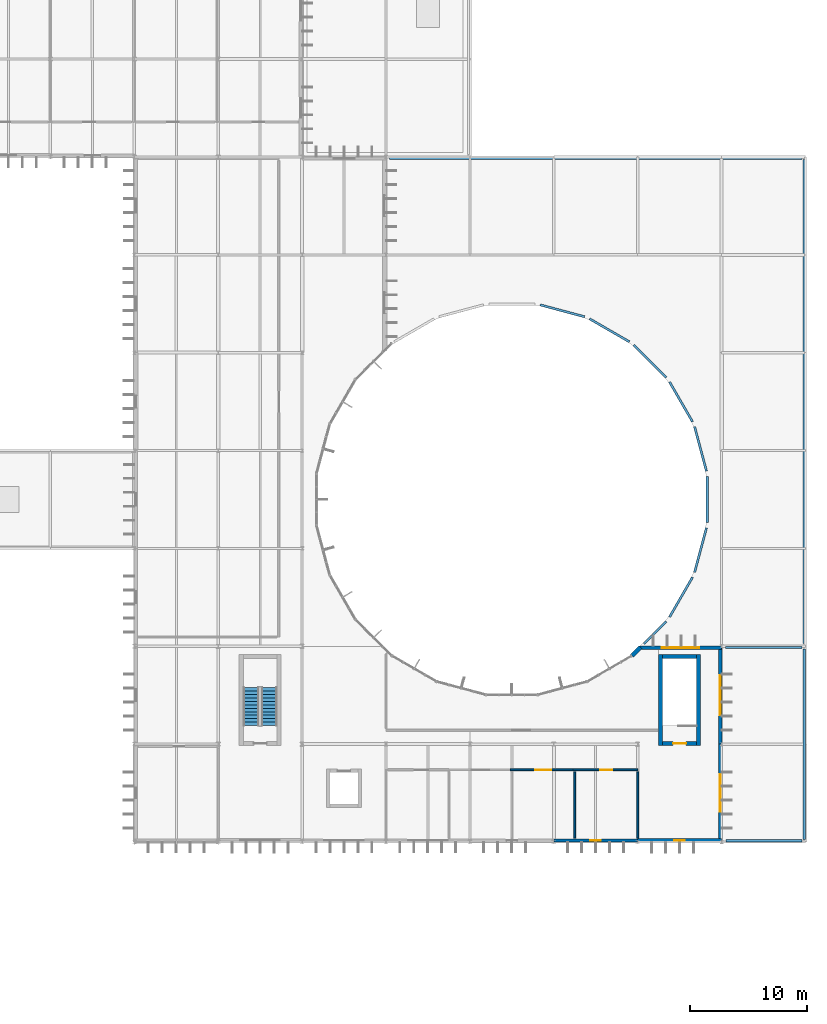
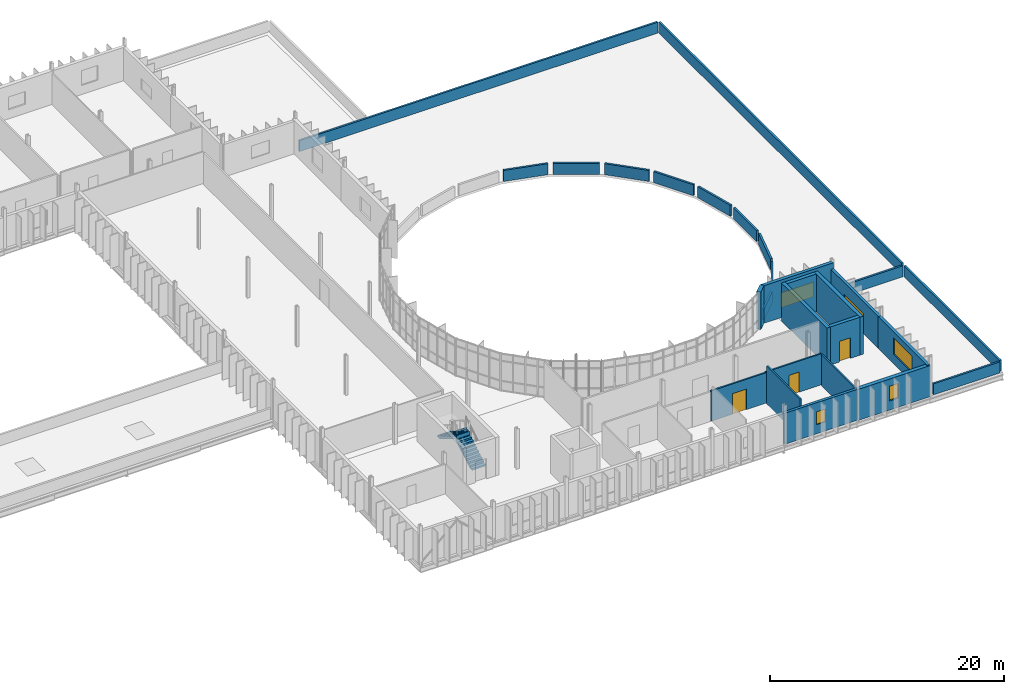
# One storey, part 49 of 61: 28 walls, 5 windows, 3 doors, 2 stair flights, 8 openings, 1 element without a shape of its own.
"""IFC4 building model written with IfcOpenShell, lengths in metres."""

from ifc_helpers import new_model, si_unit, direction, frame, frame_2d, origin, place, context, subcontext, project, spatial, polyline, rectangle, outline, extrude, material, layer, layer_set, type_object, element, fill, aggregate, save


model = new_model("IFC4")

# Units and contexts
model_context = context("Model", 3, precision=1e-05, world=origin(), true_north=direction((0.0, 1.0)))
body_context = subcontext(model_context, "Body", "Model", "MODEL_VIEW")
ifc_project = project(units=[si_unit("LENGTHUNIT", "METRE"), si_unit("AREAUNIT", "SQUARE_METRE"), si_unit("VOLUMEUNIT", "CUBIC_METRE"), si_unit("PLANEANGLEUNIT", "RADIAN"), si_unit("MASSUNIT", "GRAM", prefix="KILO")], contexts=[model_context])

# Site, building, storey
site_placement = place(None, origin())
site = spatial("IfcSite", under=ifc_project, at=site_placement, CompositionType="ELEMENT")
building_placement = place(site_placement, origin())
building = spatial("IfcBuilding", under=site, at=building_placement, Name="Qelthora Terrace Specialist Clinic", CompositionType="ELEMENT")
storey_placement = place(building_placement, frame((0.0, 0.0, 13.199951171875)))
storey = spatial("IfcBuildingStorey", under=building, at=storey_placement, Name="L03", CompositionType="ELEMENT", Elevation=13.199951171875)

# Walls
ifc_material_1 = material(Name="Concrete C40/50", Category="concrete")
ifc_layer_1 = layer(ifc_material_1, 0.35009765625)
ifc_layer_set_1 = layer_set([ifc_layer_1], Name="Concrete C40/50")
wall_type_1 = type_object("IfcWallType", Name="WAL-CORE-350-C40", PredefinedType="SHEAR", material=ifc_layer_set_1)
for number, where, z_axis, x_axis, name in (
    (1, (138.77490234375, 41.89990234375, 0.0), (0.0, 0.0, 1.0), (0.0, 1.0, 0.0), "ST-06 L03 west shear core wall"),
    (2, (142.02490234375, 41.89990234375, 0.0), (0.0, 0.0, 1.0), (0.0, 1.0, 0.0), "ST-06 L03 east shear core wall"),
):
    element("IfcWall", number, at=place(storey_placement, frame(where, z_axis=z_axis, x_axis=x_axis)), inside=storey, type_object=wall_type_1, Name=name, PredefinedType="SHEAR", context=body_context, shape_type="SweptSolid", body=[
        extrude(rectangle(XDim=7.800048828125, YDim=0.35009765625, at=frame_2d((3.89990234375, 0.0))), origin(), (0.0, 0.0, 1.0), 3.97509765625),
    ])
wall_1_placement = place(storey_placement, frame((138.949951171875, 49.52490234375, 0.0), z_axis=(0.0, 0.0, 1.0), x_axis=(1.0, 0.0, 0.0)))
element("IfcWall", 3, at=wall_1_placement, inside=storey, type_object=wall_type_1, Name="ST-06 L03 north shear core wall", PredefinedType="SHEAR", context=body_context, shape_type="SweptSolid", body=[
    extrude(rectangle(XDim=2.900146484375, YDim=0.35009765625, at=frame_2d((1.4501953125, 0.0))), origin(), (0.0, 0.0, 1.0), 3.97509765625),
])

# Wall, opening, door
wall_2_placement = place(storey_placement, frame((138.949951171875, 42.074951171875, 0.0), z_axis=(0.0, 0.0, 1.0), x_axis=(1.0, 0.0, 0.0)))
wall_2 = element("IfcWall", 4, at=wall_2_placement, inside=storey, type_object=wall_type_1, Name="ST-06 L03 south shear core wall", PredefinedType="SHEAR", context=body_context, shape_type="SweptSolid", body=[
    extrude(rectangle(XDim=2.900146484375, YDim=0.35009765625, at=frame_2d((1.4501953125, 0.0))), origin(), (0.0, 0.0, 1.0), 3.97509765625),
])
opening_1_placement = place(wall_2_placement, frame((0.89990234375, 0.0, 0.0)))
opening_1 = element("IfcOpeningElement", 5, at=opening_1_placement, cuts=wall_2, Name="Opening D-ST-06-L03", PredefinedType="OPENING", context=body_context, shape_type="SweptSolid", body=[
    extrude(rectangle(XDim=1.10009765625, YDim=2.14990234375, at=frame_2d((0.550048828125, 1.074951171875))), frame((0.0, 0.18505859375, 0.0), z_axis=(0.0, -1.0, 0.0), x_axis=(1.0, 0.0, 0.0)), (0.0, 0.0, 1.0), 0.3701171875),
])
ifc_material_2 = material(Name="Steel S355", Category="steel")
door_type_1 = type_object("IfcDoorType", Name="DOR-STAIR-1100X2150", OperationType="NOTDEFINED", PredefinedType="DOOR", material=ifc_material_2)
door_1_placement = place(opening_1_placement, origin())
door_1 = element("IfcDoor", 6, at=door_1_placement, inside=storey, type_object=door_type_1, Name="Stair fire door D-ST-06-L03", OperationType="SINGLE_SWING_RIGHT", OverallHeight=2.14990234375, OverallWidth=1.10009765625, PredefinedType="DOOR", context=body_context, shape_type="SweptSolid", body=[
    extrude(rectangle(XDim=1.10009765625, YDim=2.14990234375, at=frame_2d((0.550048828125, 1.074951171875))), frame((0.0, 0.02490234375, 0.0), z_axis=(0.0, -1.0, 0.0), x_axis=(1.0, 0.0, 0.0)), (0.0, 0.0, 1.0), 0.050048828125),
])
fill(opening_1, door_1)

# Wall, opening, window
ifc_material_3 = material(Name="Precast concrete C40/50", Category="concrete")
ifc_layer_2 = layer(ifc_material_3, 0.260009765625)
ifc_layer_set_2 = layer_set([ifc_layer_2], Name="Precast concrete C40/50")
wall_type_2 = type_object("IfcWallType", Name="WAL-EXT-260-PC40", PredefinedType="SOLIDWALL", material=ifc_layer_set_2)
wall_3_placement = place(storey_placement, frame((129.60009765625, 33.719970703125, 0.0), z_axis=(0.0, 0.0, 1.0), x_axis=(1.0, 0.0, 0.0)))
wall_3 = element("IfcWall", 7, at=wall_3_placement, inside=storey, type_object=wall_type_2, Name="L03 external precast wall 294", PredefinedType="SOLIDWALL", context=body_context, shape_type="SweptSolid", body=[
    extrude(rectangle(XDim=7.199951171875, YDim=0.260009765625, at=frame_2d((3.60009765625, 0.0))), origin(), (0.0, 0.0, 1.0), 3.2490234375),
])
opening_2_placement = place(wall_3_placement, frame((3.14990234375, 0.0, 0.949951171875)))
opening_2 = element("IfcOpeningElement", 8, at=opening_2_placement, cuts=wall_3, Name="Opening WN-L03-254", PredefinedType="OPENING", context=body_context, shape_type="SweptSolid", body=[
    extrude(rectangle(XDim=0.89990234375, YDim=1.35009765625, at=frame_2d((0.449951171875, 0.675048828125))), frame((0.0, 0.139892578125, 0.0), z_axis=(0.0, -1.0, 0.0), x_axis=(1.0, 0.0, 0.0)), (0.0, 0.0, 1.0), 0.280029296875),
])
ifc_material_4 = material(Name="Low-E triple-silver insulating glass", Category="glass")
window_type_1 = type_object("IfcWindowType", Name="WIN-900X1350", PartitioningType="SINGLE_PANEL", PredefinedType="WINDOW", material=ifc_material_4)
window_1_placement = place(opening_2_placement, origin())
window_1 = element("IfcWindow", 9, at=window_1_placement, inside=storey, type_object=window_type_1, Name="Clinical window WN-L03-254", OverallHeight=1.35009765625, OverallWidth=0.89990234375, PartitioningType="SINGLE_PANEL", PredefinedType="WINDOW", context=body_context, shape_type="SweptSolid", body=[
    extrude(rectangle(XDim=0.89990234375, YDim=1.35009765625, at=frame_2d((0.449951171875, 0.675048828125))), frame((0.0, 0.030029296875, 0.0), z_axis=(0.0, -1.0, 0.0), x_axis=(1.0, 0.0, 0.0)), (0.0, 0.0, 1.0), 0.06005859375),
])
fill(opening_2, window_1)

ifc_layer_3 = layer(ifc_material_3, 0.280029296875)
ifc_layer_set_3 = layer_set([ifc_layer_3], Name="Precast concrete C40/50")
wall_type_3 = type_object("IfcWallType", Name="WAL-EXT-280-PC40", PredefinedType="SOLIDWALL", material=ifc_layer_set_3)
wall_4_placement = place(storey_placement, frame((143.8798828125, 42.0, 0.0), z_axis=(0.0, 0.0, 1.0), x_axis=(0.0, 1.0, 0.0)))
wall_4 = element("IfcWall", 10, at=wall_4_placement, inside=storey, type_object=wall_type_3, Name="L03 external precast wall 288", PredefinedType="SOLIDWALL", context=body_context, shape_type="SweptSolid", body=[
    extrude(rectangle(XDim=8.39990234375, YDim=0.280029296875, at=frame_2d((4.199951171875, 0.0))), origin(), (0.0, 0.0, 1.0), 3.324951171875),
])
opening_3_placement = place(wall_4_placement, frame((2.5, 0.0, 0.949951171875)))
opening_3 = element("IfcOpeningElement", 11, at=opening_3_placement, cuts=wall_4, Name="Opening WN-L03-249", PredefinedType="OPENING", context=body_context, shape_type="SweptSolid", body=[
    extrude(rectangle(XDim=3.39990234375, YDim=1.14990234375, at=frame_2d((1.699951171875, 0.574951171875))), frame((0.0, 0.14990234375, 0.0), z_axis=(0.0, -1.0, 0.0), x_axis=(1.0, 0.0, 0.0)), (0.0, 0.0, 1.0), 0.300048828125),
])
window_type_2 = type_object("IfcWindowType", Name="WIN-3400X1150", PartitioningType="DOUBLE_PANEL_VERTICAL", PredefinedType="WINDOW", material=ifc_material_4)
window_2_placement = place(opening_3_placement, origin())
window_2 = element("IfcWindow", 12, at=window_2_placement, inside=storey, type_object=window_type_2, Name="Clinical window WN-L03-249", OverallHeight=1.14990234375, OverallWidth=3.39990234375, PartitioningType="SINGLE_PANEL", PredefinedType="WINDOW", context=body_context, shape_type="SweptSolid", body=[
    extrude(rectangle(XDim=3.39990234375, YDim=1.14990234375, at=frame_2d((1.699951171875, 0.574951171875))), frame((0.0, 0.030029296875, 0.0), z_axis=(0.0, -1.0, 0.0), x_axis=(1.0, 0.0, 0.0)), (0.0, 0.0, 1.0), 0.06005859375),
])
fill(opening_3, window_2)

ifc_layer_4 = layer(ifc_material_3, 0.300048828125)
ifc_layer_set_4 = layer_set([ifc_layer_4], Name="Precast concrete C40/50")
wall_type_4 = type_object("IfcWallType", Name="WAL-EXT-300-PC40", PredefinedType="SOLIDWALL", material=ifc_layer_set_4)
wall_5_placement = place(storey_placement, frame((143.8798828125, 33.60009765625, 0.0), z_axis=(0.0, 0.0, 1.0), x_axis=(0.0, 1.0, 0.0)))
wall_5 = element("IfcWall", 13, at=wall_5_placement, inside=storey, type_object=wall_type_4, Name="L03 external precast wall 287", PredefinedType="SOLIDWALL", context=body_context, shape_type="SweptSolid", body=[
    extrude(rectangle(XDim=8.39990234375, YDim=0.300048828125, at=frame_2d((4.199951171875, 0.0))), origin(), (0.0, 0.0, 1.0), 3.324951171875),
])
opening_4_placement = place(wall_5_placement, frame((2.60009765625, 0.0, 0.949951171875)))
opening_4 = element("IfcOpeningElement", 14, at=opening_4_placement, cuts=wall_5, Name="Opening WN-L03-248", PredefinedType="OPENING", context=body_context, shape_type="SweptSolid", body=[
    extrude(rectangle(XDim=3.199951171875, YDim=1.75, at=frame_2d((1.60009765625, 0.875))), frame((0.0, 0.159912109375, 0.0), z_axis=(0.0, -1.0, 0.0), x_axis=(1.0, 0.0, 0.0)), (0.0, 0.0, 1.0), 0.320068359375),
])
window_type_3 = type_object("IfcWindowType", Name="WIN-3200X1750", PartitioningType="DOUBLE_PANEL_VERTICAL", PredefinedType="WINDOW", material=ifc_material_4)
window_3_placement = place(opening_4_placement, origin())
window_3 = element("IfcWindow", 15, at=window_3_placement, inside=storey, type_object=window_type_3, Name="Clinical window WN-L03-248", OverallHeight=1.75, OverallWidth=3.199951171875, PartitioningType="SINGLE_PANEL", PredefinedType="WINDOW", context=body_context, shape_type="SweptSolid", body=[
    extrude(rectangle(XDim=3.199951171875, YDim=1.75, at=frame_2d((1.60009765625, 0.875))), frame((0.0, 0.030029296875, 0.0), z_axis=(0.0, -1.0, 0.0), x_axis=(1.0, 0.0, 0.0)), (0.0, 0.0, 1.0), 0.06005859375),
])
fill(opening_4, window_3)

ifc_layer_5 = layer(ifc_material_3, 0.320068359375)
ifc_layer_set_5 = layer_set([ifc_layer_5], Name="Precast concrete C40/50")
wall_type_5 = type_object("IfcWallType", Name="WAL-EXT-320-PC40", PredefinedType="SOLIDWALL", material=ifc_layer_set_5)
wall_6_placement = place(storey_placement, frame((136.95556640625, 50.280029296875, 0.0), z_axis=(0.0, 0.0, 1.0), x_axis=(1.0, 0.0, 0.0)))
wall_6 = element("IfcWall", 16, at=wall_6_placement, inside=storey, type_object=wall_type_5, Name="L03 external precast wall 286", PredefinedType="SOLIDWALL", context=body_context, shape_type="SweptSolid", body=[
    extrude(rectangle(XDim=7.04443359375, YDim=0.320068359375, at=frame_2d((3.522216796875, 0.0))), origin(), (0.0, 0.0, 1.0), 3.93994140625),
])
opening_5_placement = place(wall_6_placement, frame((1.922119140625, 0.0, 0.949951171875)))
opening_5 = element("IfcOpeningElement", 17, at=opening_5_placement, cuts=wall_6, Name="Opening WN-L03-247", PredefinedType="OPENING", context=body_context, shape_type="SweptSolid", body=[
    extrude(rectangle(XDim=3.199951171875, YDim=1.550048828125, at=frame_2d((1.60009765625, 0.77490234375))), frame((0.0, 0.169921875, 0.0), z_axis=(0.0, -1.0, 0.0), x_axis=(1.0, 0.0, 0.0)), (0.0, 0.0, 1.0), 0.340087890625),
])
window_type_4 = type_object("IfcWindowType", Name="WIN-3200X1550", PartitioningType="DOUBLE_PANEL_VERTICAL", PredefinedType="WINDOW", material=ifc_material_4)
window_4_placement = place(opening_5_placement, origin())
window_4 = element("IfcWindow", 18, at=window_4_placement, inside=storey, type_object=window_type_4, Name="Clinical window WN-L03-247", OverallHeight=1.550048828125, OverallWidth=3.199951171875, PartitioningType="SINGLE_PANEL", PredefinedType="WINDOW", context=body_context, shape_type="SweptSolid", body=[
    extrude(rectangle(XDim=3.199951171875, YDim=1.550048828125, at=frame_2d((1.60009765625, 0.77490234375))), frame((0.0, 0.030029296875, 0.0), z_axis=(0.0, -1.0, 0.0), x_axis=(1.0, 0.0, 0.0)), (0.0, 0.0, 1.0), 0.06005859375),
])
fill(opening_5, window_4)

# Wall
ifc_layer_6 = layer(ifc_material_3, 0.3798828125)
ifc_layer_set_6 = layer_set([ifc_layer_6], Name="Precast concrete C40/50")
wall_type_6 = type_object("IfcWallType", Name="WAL-EXT-380-PC40", PredefinedType="SOLIDWALL", material=ifc_layer_set_6)
wall_7_placement = place(storey_placement, frame((136.31201171875, 49.5869140625, 0.0), z_axis=(0.0, 0.0, 1.0), x_axis=(0.707106781187, 0.707106781187, 0.0)))
element("IfcWall", 19, at=wall_7_placement, inside=storey, type_object=wall_type_6, Name="L03 external precast wall 285", PredefinedType="SOLIDWALL", context=body_context, shape_type="SweptSolid", body=[
    extrude(rectangle(XDim=1.030029296875, YDim=0.3798828125, at=frame_2d((0.51513671875, 0.0))), origin(), (0.0, 0.0, 1.0), 3.93994140625),
])

# Wall, opening, window
wall_8_placement = place(storey_placement, frame((136.800048828125, 33.719970703125, 0.0), z_axis=(0.0, 0.0, 1.0), x_axis=(1.0, 0.0, 0.0)))
wall_8 = element("IfcWall", 20, at=wall_8_placement, inside=storey, type_object=wall_type_6, Name="L03 external precast wall 295", PredefinedType="SOLIDWALL", context=body_context, shape_type="SweptSolid", body=[
    extrude(rectangle(XDim=7.199951171875, YDim=0.3798828125, at=frame_2d((3.60009765625, 0.0))), origin(), (0.0, 0.0, 1.0), 3.254150390625),
])
opening_6_placement = place(wall_8_placement, frame((3.14990234375, 0.0, 0.949951171875)))
opening_6 = element("IfcOpeningElement", 21, at=opening_6_placement, cuts=wall_8, Name="Opening WN-L03-255", PredefinedType="OPENING", context=body_context, shape_type="SweptSolid", body=[
    extrude(rectangle(XDim=0.89990234375, YDim=1.550048828125, at=frame_2d((0.449951171875, 0.77490234375))), frame((0.0, 0.199951171875, 0.0), z_axis=(0.0, -1.0, 0.0), x_axis=(1.0, 0.0, 0.0)), (0.0, 0.0, 1.0), 0.39990234375),
])
window_type_5 = type_object("IfcWindowType", Name="WIN-900X1550", PartitioningType="SINGLE_PANEL", PredefinedType="WINDOW", material=ifc_material_4)
window_5_placement = place(opening_6_placement, origin())
window_5 = element("IfcWindow", 22, at=window_5_placement, inside=storey, type_object=window_type_5, Name="Clinical window WN-L03-255", OverallHeight=1.550048828125, OverallWidth=0.89990234375, PartitioningType="SINGLE_PANEL", PredefinedType="WINDOW", context=body_context, shape_type="SweptSolid", body=[
    extrude(rectangle(XDim=0.89990234375, YDim=1.550048828125, at=frame_2d((0.449951171875, 0.77490234375))), frame((0.0, 0.030029296875, 0.0), z_axis=(0.0, -1.0, 0.0), x_axis=(1.0, 0.0, 0.0)), (0.0, 0.0, 1.0), 0.06005859375),
])
fill(opening_6, window_5)

# Wall, opening, door
ifc_material_5 = material(Name="Gypsum fire-rated wallboard", Category="gypsum")
ifc_layer_7 = layer(ifc_material_5, 0.159912109375)
ifc_layer_set_7 = layer_set([ifc_layer_7], Name="Gypsum fire-rated wallboard")
wall_type_7 = type_object("IfcWallType", Name="WAL-INT-COR-160", PredefinedType="PARTITIONING", material=ifc_layer_set_7)
wall_9_placement = place(storey_placement, frame((125.864990234375, 39.800048828125, 0.0), z_axis=(0.0, 0.0, 1.0), x_axis=(1.0, 0.0, 0.0)))
wall_9 = element("IfcWall", 23, at=wall_9_placement, inside=storey, type_object=wall_type_7, Name="Interior clinical partition IWAL-L03-0324", PredefinedType="PARTITIONING", context=body_context, shape_type="SweptSolid", body=[
    extrude(rectangle(XDim=5.534912109375, YDim=0.159912109375, at=frame_2d((2.767578125, 0.0))), origin(), (0.0, 0.0, 1.0), 3.175048828125),
])
opening_7_placement = place(wall_9_placement, frame((2.16259765625, 0.0, 0.0)))
opening_7 = element("IfcOpeningElement", 24, at=opening_7_placement, cuts=wall_9, Name="Opening DI-L03-0129", PredefinedType="OPENING", context=body_context, shape_type="SweptSolid", body=[
    extrude(rectangle(XDim=1.35009765625, YDim=2.14990234375, at=frame_2d((0.675048828125, 1.074951171875))), frame((0.0, 0.08984375, 0.0), z_axis=(0.0, -1.0, 0.0), x_axis=(1.0, 0.0, 0.0)), (0.0, 0.0, 1.0), 0.179931640625),
])
door_type_2 = type_object("IfcDoorType", Name="DOR-IMG-1350X2150", OperationType="NOTDEFINED", PredefinedType="DOOR", material=ifc_material_2)
door_2_placement = place(opening_7_placement, frame((1.35009765625, 0.0, 0.0), z_axis=(0.0, 0.0, 1.0), x_axis=(-1.0, 0.0, 0.0)))
door_2 = element("IfcDoor", 25, at=door_2_placement, inside=storey, type_object=door_type_2, Name="Interior clinical door DI-L03-0129", OperationType="SINGLE_SWING_RIGHT", OverallHeight=2.14990234375, OverallWidth=1.35009765625, PredefinedType="DOOR", context=body_context, shape_type="SweptSolid", body=[
    extrude(rectangle(XDim=1.35009765625, YDim=2.14990234375, at=frame_2d((0.675048828125, 1.074951171875))), frame((0.0, 0.02490234375, 0.0), z_axis=(0.0, -1.0, 0.0), x_axis=(1.0, 0.0, 0.0)), (0.0, 0.0, 1.0), 0.050048828125),
])
fill(opening_7, door_2)

# Wall
ifc_material_6 = material(Name="Gypsum moisture-resistant", Category="gypsum")
ifc_layer_8 = layer(ifc_material_6, 0.14990234375)
ifc_layer_set_8 = layer_set([ifc_layer_8], Name="Gypsum moisture-resistant")
wall_type_8 = type_object("IfcWallType", Name="WAL-INT-WET-150", PredefinedType="PLUMBINGWALL", material=ifc_layer_set_8)
wall_10_placement = place(storey_placement, frame((131.39990234375, 39.6201171875, 0.0), z_axis=(0.0, 0.0, 1.0), x_axis=(0.0, -1.0, 0.0)))
element("IfcWall", 26, at=wall_10_placement, inside=storey, type_object=wall_type_8, Name="Interior clinical partition IWAL-L03-0325", PredefinedType="PLUMBINGWALL", context=body_context, shape_type="SweptSolid", body=[
    extrude(rectangle(XDim=5.68017578125, YDim=0.14990234375, at=frame_2d((2.840087890625, 0.0))), origin(), (0.0, 0.0, 1.0), 3.945068359375),
])

# Wall, opening, door
wall_11_placement = place(storey_placement, frame((131.264892578125, 39.800048828125, 0.0), z_axis=(0.0, 0.0, 1.0), x_axis=(1.0, 0.0, 0.0)))
wall_11 = element("IfcWall", 27, at=wall_11_placement, inside=storey, type_object=wall_type_8, Name="Interior clinical partition IWAL-L03-0326", PredefinedType="PLUMBINGWALL", context=body_context, shape_type="SweptSolid", body=[
    extrude(rectangle(XDim=5.53515625, YDim=0.14990234375, at=frame_2d((2.767578125, 0.0))), origin(), (0.0, 0.0, 1.0), 3.251953125),
])
opening_8_placement = place(wall_11_placement, frame((2.33740234375, 0.0, 0.0)))
opening_8 = element("IfcOpeningElement", 28, at=opening_8_placement, cuts=wall_11, Name="Opening DI-L03-0130", PredefinedType="OPENING", context=body_context, shape_type="SweptSolid", body=[
    extrude(rectangle(XDim=1.0, YDim=2.10009765625, at=frame_2d((0.5, 1.050048828125))), frame((0.0, 0.0849609375, 0.0), z_axis=(0.0, -1.0, 0.0), x_axis=(1.0, 0.0, 0.0)), (0.0, 0.0, 1.0), 0.169921875),
])
ifc_material_7 = material(Name="Glulam timber GL28h", Category="wood")
door_type_3 = type_object("IfcDoorType", Name="DOR-AWC-1000X2100", OperationType="NOTDEFINED", PredefinedType="DOOR", material=ifc_material_7)
door_3_placement = place(opening_8_placement, frame((1.0, 0.0, 0.0), z_axis=(0.0, 0.0, 1.0), x_axis=(-1.0, 0.0, 0.0)))
door_3 = element("IfcDoor", 29, at=door_3_placement, inside=storey, type_object=door_type_3, Name="Interior clinical door DI-L03-0130", OperationType="SINGLE_SWING_LEFT", OverallHeight=2.10009765625, OverallWidth=1.0, PredefinedType="DOOR", context=body_context, shape_type="SweptSolid", body=[
    extrude(rectangle(XDim=1.0, YDim=2.10009765625, at=frame_2d((0.5, 1.050048828125))), frame((0.0, 0.02490234375, 0.0), z_axis=(0.0, -1.0, 0.0), x_axis=(1.0, 0.0, 0.0)), (0.0, 0.0, 1.0), 0.050048828125),
])
fill(opening_8, door_3)

# Walls
wall_12_placement = place(storey_placement, frame((136.800048828125, 39.6201171875, 0.0), z_axis=(0.0, 0.0, 1.0), x_axis=(0.0, -1.0, 0.0)))
element("IfcWall", 30, at=wall_12_placement, inside=storey, type_object=wall_type_8, Name="Interior clinical partition IWAL-L03-0327", PredefinedType="PLUMBINGWALL", context=body_context, shape_type="SweptSolid", body=[
    extrude(rectangle(XDim=5.68017578125, YDim=0.14990234375, at=frame_2d((2.840087890625, 0.0))), origin(), (0.0, 0.0, 1.0), 3.251953125),
])
ifc_layer_9 = layer(ifc_material_3, 0.18994140625)
ifc_layer_set_9 = layer_set([ifc_layer_9], Name="Precast concrete C40/50")
wall_type_9 = type_object("IfcWallType", Name="WAL-PAR-190-PC40", PredefinedType="PARAPET", material=ifc_layer_set_9)
wall_13_placement = place(storey_placement, frame((151.090087890625, 92.179931640625, 0.0), z_axis=(0.0, 0.0, 1.0), x_axis=(0.0, -1.0, 0.0)))
element("IfcWall", 31, at=wall_13_placement, inside=storey, type_object=wall_type_9, Name="Roof perimeter parapet ROOF-V4-STP3A-1-1", PredefinedType="PARAPET", context=body_context, shape_type="SweptSolid", body=[
    extrude(rectangle(XDim=41.559814453125, YDim=0.18994140625, at=frame_2d((20.77978515625, 0.0))), origin(), (0.0, 0.0, 1.0), 1.150146484375),
])
wall_14_placement = place(storey_placement, frame((137.3310546875, 50.6201171875, 0.0), z_axis=(0.0, 0.0, 1.0), x_axis=(0.707106781187, 0.707106781187, 0.0)))
element("IfcWall", 32, at=wall_14_placement, inside=storey, type_object=wall_type_9, Name="Roof perimeter parapet ROOF-V4-STP3A-1-2", PredefinedType="PARAPET", context=body_context, shape_type="SweptSolid", body=[
    extrude(rectangle(XDim=2.714599609375, YDim=0.18994140625, at=frame_2d((1.357421875, 0.0))), origin(), (0.0, 0.0, 1.0), 1.150146484375),
])
for number, where, z_axis, x_axis, name in (
    (33, (139.53369140625, 52.908203125, 0.0), (0.0, 0.0, 1.0), (0.499945624459, 0.866056795242, 0.0), "Roof perimeter parapet ROOF-V4-STP3A-1-3"),
    (34, (141.684326171875, 56.7548828125, 0.0), (0.0, 0.0, 1.0), (0.258821652005, 0.965925127768, 0.0), "Roof perimeter parapet ROOF-V4-STP3A-1-4"),
    (35, (142.766357421875, 61.027099609375, 0.0), (0.0, 0.0, 1.0), (0.0, 1.0, 0.0), "Roof perimeter parapet ROOF-V4-STP3A-1-5"),
    (36, (142.70556640625, 65.433837890625, 0.0), (0.0, 0.0, 1.0), (-0.258821652005, 0.965925127768, 0.0), "Roof perimeter parapet ROOF-V4-STP3A-1-6"),
    (37, (141.50634765625, 69.674560546875, 0.0), (0.0, 0.0, 1.0), (-0.499945624459, 0.866056795242, 0.0), "Roof perimeter parapet ROOF-V4-STP3A-1-7"),
    (38, (139.25048828125, 73.46044921875, 0.0), (0.0, 0.0, 1.0), (-0.707106781187, 0.707106781187, 0.0), "Roof perimeter parapet ROOF-V4-STP3A-1-8"),
    (39, (136.091796875, 76.53369140625, 0.0), (0.0, 0.0, 1.0), (-0.866056795242, 0.499945624459, 0.0), "Roof perimeter parapet ROOF-V4-STP3A-1-9"),
    (40, (132.2451171875, 78.684326171875, 0.0), (0.0, 0.0, 1.0), (-0.965925127768, 0.258821652005, 0.0), "Roof perimeter parapet ROOF-V4-STP3A-1-10"),
):
    element("IfcWall", number, at=place(storey_placement, frame(where, z_axis=z_axis, x_axis=x_axis)), inside=storey, type_object=wall_type_9, Name=name, PredefinedType="PARAPET", context=body_context, shape_type="SweptSolid", body=[
        extrude(rectangle(XDim=3.94580078125, YDim=0.18994140625, at=frame_2d((1.972900390625, 0.0))), origin(), (0.0, 0.0, 1.0), 1.150146484375),
    ])
wall_15_placement = place(storey_placement, frame((115.509521484375, 92.2900390625, 0.0), z_axis=(0.0, 0.0, 1.0), x_axis=(1.0, 0.0, 0.0)))
element("IfcWall", 41, at=wall_15_placement, inside=storey, type_object=wall_type_9, Name="Roof perimeter parapet ROOF-V4-STP3A-1-14", PredefinedType="PARAPET", context=body_context, shape_type="SweptSolid", body=[
    extrude(rectangle(XDim=35.41357421875, YDim=0.18994140625, at=frame_2d((17.706787109375, 0.0))), origin(), (0.0, 0.0, 1.0), 1.150146484375),
])
wall_16_placement = place(storey_placement, frame((151.090087890625, 50.179931640625, 0.0), z_axis=(0.0, 0.0, 1.0), x_axis=(0.0, -1.0, 0.0)))
element("IfcWall", 42, at=wall_16_placement, inside=storey, type_object=wall_type_9, Name="Roof perimeter parapet ROOF-V4-STP3B-1-1", PredefinedType="PARAPET", context=body_context, shape_type="SweptSolid", body=[
    extrude(rectangle(XDim=16.35986328125, YDim=0.18994140625, at=frame_2d((8.179931640625, 0.0))), origin(), (0.0, 0.0, 1.0), 1.150146484375),
])
wall_17_placement = place(storey_placement, frame((150.923095703125, 33.7099609375, 0.0), z_axis=(0.0, 0.0, 1.0), x_axis=(-1.0, 0.0, 0.0)))
element("IfcWall", 43, at=wall_17_placement, inside=storey, type_object=wall_type_9, Name="Roof perimeter parapet ROOF-V4-STP3B-1-2", PredefinedType="PARAPET", context=body_context, shape_type="SweptSolid", body=[
    extrude(rectangle(XDim=6.5537109375, YDim=0.18994140625, at=frame_2d((3.27685546875, 0.0))), origin(), (0.0, 0.0, 1.0), 1.150146484375),
])
wall_18_placement = place(storey_placement, frame((144.339599609375, 50.2900390625, 0.0), z_axis=(0.0, 0.0, 1.0), x_axis=(1.0, 0.0, 0.0)))
element("IfcWall", 44, at=wall_18_placement, inside=storey, type_object=wall_type_9, Name="Roof perimeter parapet ROOF-V4-STP3B-1-3", PredefinedType="PARAPET", context=body_context, shape_type="SweptSolid", body=[
    extrude(rectangle(XDim=6.58349609375, YDim=0.18994140625, at=frame_2d((3.291748046875, 0.0))), origin(), (0.0, 0.0, 1.0), 1.150146484375),
])

# Stair, stair flights
ifc_material_8 = material(Name="Concrete C30/37", Category="concrete")
stair_type = type_object("IfcStairType", Name="STR-175-295", PredefinedType="HALF_TURN_STAIR", material=ifc_material_8)
stair_placement = place(storey_placement, origin())
stair = element("IfcStair", 45, at=stair_placement, inside=storey, type_object=stair_type, Name="L03 Enclosed Exit Stair ST-05", PredefinedType="HALF_TURN_STAIR")
stair_flight_type = type_object("IfcStairFlightType", Name="SFL-175-295", PredefinedType="STRAIGHT", material=ifc_material_8)
stair_flight_1_placement = place(storey_placement, frame((105.175048828125, 43.60009765625, 0.0), z_axis=(0.0, 0.0, 1.0), x_axis=(0.0, 1.0, 0.0)))
stair_flight_1 = element("IfcStairFlight", 46, at=stair_flight_1_placement, type_object=stair_flight_type, Name="ST-05 flight 1", NumberOfRisers=12, NumberOfTreads=11, PredefinedType="STRAIGHT", RiserHeight=0.175, TreadLength=0.295, context=body_context, shape_type="SweptSolid", body=[
    extrude(outline(polyline([(-0.001953125, 0.0), (-0.001953125, 0.175048828125), (0.294921875, 0.175048828125), (0.294921875, 0.35009765625), (0.590087890625, 0.35009765625), (0.590087890625, 0.52490234375), (0.885009765625, 0.52490234375), (0.885009765625, 0.699951171875), (1.179931640625, 0.699951171875), (1.179931640625, 0.875), (1.47509765625, 0.875), (1.47509765625, 1.050048828125), (1.77001953125, 1.050048828125), (1.77001953125, 1.22509765625), (2.06494140625, 1.22509765625), (2.06494140625, 1.39990234375), (2.360107421875, 1.39990234375), (2.360107421875, 1.574951171875), (2.655029296875, 1.574951171875), (2.655029296875, 1.75), (2.949951171875, 1.75), (2.949951171875, 1.925048828125), (3.2451171875, 1.925048828125), (3.2451171875, 2.10009765625), (3.2470703125, 2.10009765625), (3.2470703125, 1.7158203125), (3.2451171875, 1.7158203125), (0.352783203125, 0.0), (-0.001953125, 0.0)])), frame((0.0, 0.675048828125, 0.0), z_axis=(0.0, -1.0, 0.0), x_axis=(1.0, 0.0, 0.0)), (0.0, 0.0, 1.0), 1.35009765625),
])
stair_flight_2_placement = place(storey_placement, frame((103.625, 46.844970703125, 2.10009765625), z_axis=(0.0, 0.0, 1.0), x_axis=(0.0, -1.0, 0.0)))
stair_flight_2 = element("IfcStairFlight", 47, at=stair_flight_2_placement, type_object=stair_flight_type, Name="ST-05 flight 2", NumberOfRisers=12, NumberOfTreads=11, PredefinedType="STRAIGHT", RiserHeight=0.175, TreadLength=0.295, context=body_context, shape_type="SweptSolid", body=[
    extrude(outline(polyline([(-0.001953125, 0.0), (-0.001953125, 0.175048828125), (0.294921875, 0.175048828125), (0.294921875, 0.35009765625), (0.590087890625, 0.35009765625), (0.590087890625, 0.52490234375), (0.885009765625, 0.52490234375), (0.885009765625, 0.699951171875), (1.179931640625, 0.699951171875), (1.179931640625, 0.875), (1.47509765625, 0.875), (1.47509765625, 1.050048828125), (1.77001953125, 1.050048828125), (1.77001953125, 1.22509765625), (2.06494140625, 1.22509765625), (2.06494140625, 1.39990234375), (2.360107421875, 1.39990234375), (2.360107421875, 1.574951171875), (2.655029296875, 1.574951171875), (2.655029296875, 1.75), (2.949951171875, 1.75), (2.949951171875, 1.925048828125), (3.2451171875, 1.925048828125), (3.2451171875, 2.10009765625), (3.2470703125, 2.10009765625), (3.2470703125, 1.7158203125), (3.2451171875, 1.7158203125), (0.352783203125, 0.0), (-0.001953125, 0.0)])), frame((0.0, 0.675048828125, 0.0), z_axis=(0.0, -1.0, 0.0), x_axis=(1.0, 0.0, 0.0)), (0.0, 0.0, 1.0), 1.35009765625),
])
aggregate(stair, [stair_flight_1, stair_flight_2])

save(model, "model.ifc")
